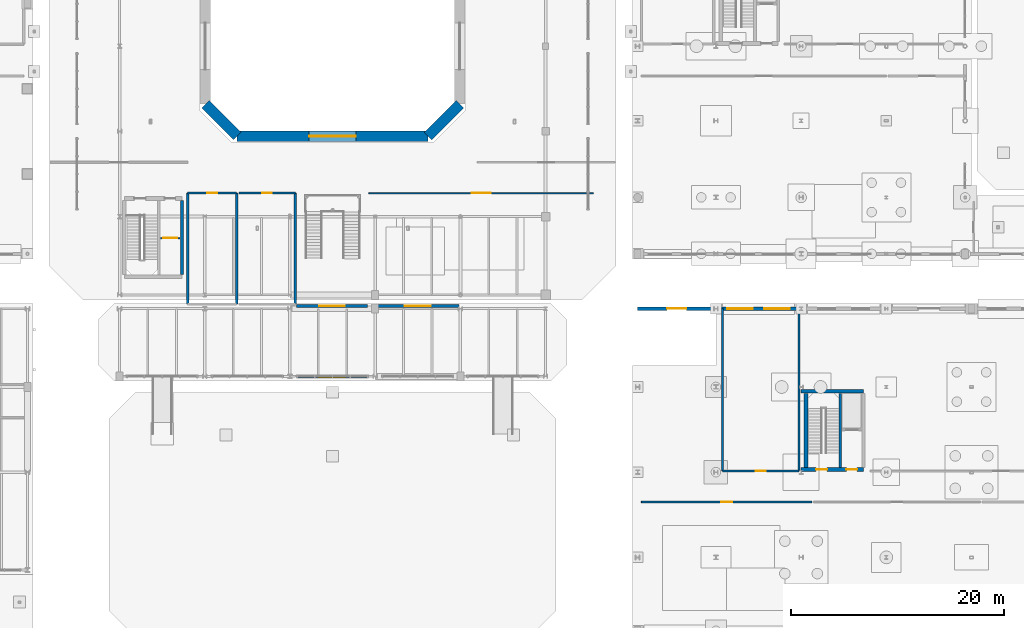
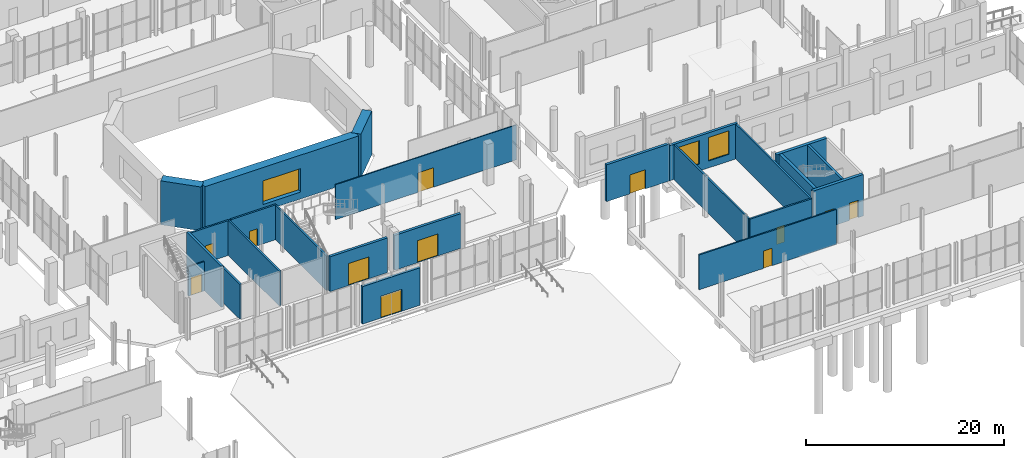
# One storey, part 67 of 87: 24 walls, 12 doors, 3 windows, 15 openings.
"""IFC4 building model written with IfcOpenShell, lengths in metres."""

from ifc_helpers import new_model, si_unit, direction, frame, frame_2d, origin, place, context, subcontext, project, spatial, rectangle, extrude, material, layer, layer_set, type_object, element, fill, save


model = new_model("IFC4")

# Units and contexts
model_context = context("Model", 3, precision=1e-05, world=origin(), true_north=direction((0.0, 1.0)))
body_context = subcontext(model_context, "Body", "Model", "MODEL_VIEW")
ifc_project = project(units=[si_unit("LENGTHUNIT", "METRE"), si_unit("AREAUNIT", "SQUARE_METRE"), si_unit("VOLUMEUNIT", "CUBIC_METRE"), si_unit("PLANEANGLEUNIT", "RADIAN"), si_unit("MASSUNIT", "GRAM", prefix="KILO")], contexts=[model_context])

# Site, building, storey
site_placement = place(None, origin())
site = spatial("IfcSite", under=ifc_project, at=site_placement, CompositionType="ELEMENT")
building_placement = place(site_placement, origin())
building = spatial("IfcBuilding", under=site, at=building_placement, Name="Brisemont Oceanarium", CompositionType="ELEMENT")
storey_placement = place(building_placement, origin())
storey = spatial("IfcBuildingStorey", under=building, at=storey_placement, Name="L00", CompositionType="ELEMENT", Elevation=0.0)

# Wall, openings, windows
ifc_material_1 = material(Name="Sierra Granite Ashlar Backup Concrete C35/45", Category="masonry")
ifc_layer_1 = layer(ifc_material_1, 0.300048828125)
ifc_layer_set_1 = layer_set([ifc_layer_1], Name="Sierra Granite Ashlar Backup Concrete C35/45")
wall_type_1 = type_object("IfcWallType", Name="EW-GRANITE-300", PredefinedType="STANDARD", material=ifc_layer_set_1)
wall_1_placement = place(storey_placement, frame((120.0, 31.35009765625, 0.0), z_axis=(0.0, 0.0, 1.0), x_axis=(1.0, 0.0, 0.0)))
wall_1 = element("IfcWall", 1, at=wall_1_placement, inside=storey, type_object=wall_type_1, Name="Beaux-Arts exterior wall EW-V3N-L00-1", PredefinedType="STANDARD", context=body_context, shape_type="SweptSolid", body=[
    extrude(rectangle(XDim=8.0, YDim=0.300048828125, at=frame_2d((4.0, 0.0))), origin(), (0.0, 0.0, 1.0), 4.318115234375),
])
opening_1_placement = place(wall_1_placement, frame((1.066650390625, 0.0, 0.85009765625)))
opening_1 = element("IfcOpeningElement", 2, at=opening_1_placement, cuts=wall_1, Name="Opening WIN-01", PredefinedType="OPENING", context=body_context, shape_type="SweptSolid", body=[
    extrude(rectangle(XDim=2.39990234375, YDim=2.89990234375, at=frame_2d((1.199951171875, 1.449951171875))), frame((0.0, 0.159912109375, 0.0), z_axis=(0.0, -1.0, 0.0), x_axis=(1.0, 0.0, 0.0)), (0.0, 0.0, 1.0), 0.320068359375),
])
opening_2_placement = place(wall_1_placement, frame((4.533203125, 0.0, 0.85009765625)))
opening_2 = element("IfcOpeningElement", 3, at=opening_2_placement, cuts=wall_1, Name="Opening WIN-01", PredefinedType="OPENING", context=body_context, shape_type="SweptSolid", body=[
    extrude(rectangle(XDim=2.39990234375, YDim=2.89990234375, at=frame_2d((1.199951171875, 1.449951171875))), frame((0.0, 0.159912109375, 0.0), z_axis=(0.0, -1.0, 0.0), x_axis=(1.0, 0.0, 0.0)), (0.0, 0.0, 1.0), 0.320068359375),
])
ifc_material_2 = material(Name="Insulated Low-E Laminated Glass", Category="glass")
window_type_1 = type_object("IfcWindowType", Name="WIN-BA-2400X2900", PartitioningType="SINGLE_PANEL", PredefinedType="WINDOW", material=ifc_material_2)
window_1_placement = place(opening_1_placement, origin())
window_1 = element("IfcWindow", 4, at=window_1_placement, inside=storey, type_object=window_type_1, Name="WIN-01 facade window 1", OverallHeight=2.89990234375, OverallWidth=2.39990234375, PartitioningType="SINGLE_PANEL", PredefinedType="WINDOW", context=body_context, shape_type="SweptSolid", body=[
    extrude(rectangle(XDim=2.39990234375, YDim=2.89990234375, at=frame_2d((1.199951171875, 1.449951171875))), frame((0.0, 0.030029296875, 0.0), z_axis=(0.0, -1.0, 0.0), x_axis=(1.0, 0.0, 0.0)), (0.0, 0.0, 1.0), 0.06005859375),
])
fill(opening_1, window_1)
window_2_placement = place(opening_2_placement, origin())
window_2 = element("IfcWindow", 5, at=window_2_placement, inside=storey, type_object=window_type_1, Name="WIN-01 facade window 2", OverallHeight=2.89990234375, OverallWidth=2.39990234375, PartitioningType="SINGLE_PANEL", PredefinedType="WINDOW", context=body_context, shape_type="SweptSolid", body=[
    extrude(rectangle(XDim=2.39990234375, YDim=2.89990234375, at=frame_2d((1.199951171875, 1.449951171875))), frame((0.0, 0.030029296875, 0.0), z_axis=(0.0, -1.0, 0.0), x_axis=(1.0, 0.0, 0.0)), (0.0, 0.0, 1.0), 0.06005859375),
])
fill(opening_2, window_2)

# Wall, opening, door
wall_2_placement = place(storey_placement, frame((87.300048828125, 31.60009765625, 0.0), z_axis=(0.0, 0.0, 1.0), x_axis=(-1.0, 0.0, 0.0)))
wall_2 = element("IfcWall", 6, at=wall_2_placement, inside=storey, type_object=wall_type_1, Name="Beaux-Arts exterior wall EW-Z2PORT-ENT-1", PredefinedType="STANDARD", context=body_context, shape_type="SweptSolid", body=[
    extrude(rectangle(XDim=6.699951171875, YDim=0.300048828125, at=frame_2d((3.35009765625, 0.0))), origin(), (0.0, 0.0, 1.0), 4.280029296875),
])
opening_3_placement = place(wall_2_placement, frame((2.14990234375, 0.0, 0.0)))
opening_3 = element("IfcOpeningElement", 7, at=opening_3_placement, cuts=wall_2, Name="Opening EX-01", PredefinedType="OPENING", context=body_context, shape_type="SweptSolid", body=[
    extrude(rectangle(XDim=2.39990234375, YDim=2.699951171875, at=frame_2d((1.199951171875, 1.35009765625))), frame((0.0, 0.159912109375, 0.0), z_axis=(0.0, -1.0, 0.0), x_axis=(1.0, 0.0, 0.0)), (0.0, 0.0, 1.0), 0.320068359375),
])
ifc_material_3 = material(Name="Patinated Architectural Bronze C38500")
door_type_1 = type_object("IfcDoorType", Name="DR-EXT-2400X2700", OperationType="NOTDEFINED", PredefinedType="DOOR", material=ifc_material_3)
door_1_placement = place(opening_3_placement, origin())
door_1 = element("IfcDoor", 8, at=door_1_placement, inside=storey, type_object=door_type_1, Name="EX-01 exterior entrance door 18", OperationType="DOUBLE_DOOR_SINGLE_SWING", OverallHeight=2.699951171875, OverallWidth=2.39990234375, PredefinedType="DOOR", context=body_context, shape_type="SweptSolid", body=[
    extrude(rectangle(XDim=2.39990234375, YDim=2.699951171875, at=frame_2d((1.199951171875, 1.35009765625))), frame((0.0, 0.02490234375, 0.0), z_axis=(0.0, -1.0, 0.0), x_axis=(1.0, 0.0, 0.0)), (0.0, 0.0, 1.0), 0.050048828125),
])
fill(opening_3, door_1)

wall_3_placement = place(storey_placement, frame((95.860107421875, 31.60009765625, 0.0), z_axis=(0.0, 0.0, 1.0), x_axis=(-1.0, 0.0, 0.0)))
wall_3 = element("IfcWall", 9, at=wall_3_placement, inside=storey, type_object=wall_type_1, Name="Beaux-Arts exterior wall EW-Z2PORT-ENT-2", PredefinedType="STANDARD", context=body_context, shape_type="SweptSolid", body=[
    extrude(rectangle(XDim=7.72021484375, YDim=0.300048828125, at=frame_2d((3.860107421875, 0.0))), origin(), (0.0, 0.0, 1.0), 4.280029296875),
])
opening_4_placement = place(wall_3_placement, frame((2.659912109375, 0.0, 0.0)))
opening_4 = element("IfcOpeningElement", 10, at=opening_4_placement, cuts=wall_3, Name="Opening EX-01", PredefinedType="OPENING", context=body_context, shape_type="SweptSolid", body=[
    extrude(rectangle(XDim=2.39990234375, YDim=2.699951171875, at=frame_2d((1.199951171875, 1.35009765625))), frame((0.0, 0.159912109375, 0.0), z_axis=(0.0, -1.0, 0.0), x_axis=(1.0, 0.0, 0.0)), (0.0, 0.0, 1.0), 0.320068359375),
])
door_2_placement = place(opening_4_placement, origin())
door_2 = element("IfcDoor", 11, at=door_2_placement, inside=storey, type_object=door_type_1, Name="EX-01 exterior entrance door 19", OperationType="DOUBLE_DOOR_SINGLE_SWING", OverallHeight=2.699951171875, OverallWidth=2.39990234375, PredefinedType="DOOR", context=body_context, shape_type="SweptSolid", body=[
    extrude(rectangle(XDim=2.39990234375, YDim=2.699951171875, at=frame_2d((1.199951171875, 1.35009765625))), frame((0.0, 0.02490234375, 0.0), z_axis=(0.0, -1.0, 0.0), x_axis=(1.0, 0.0, 0.0)), (0.0, 0.0, 1.0), 0.050048828125),
])
fill(opening_4, door_2)

wall_4_placement = place(storey_placement, frame((87.300048828125, 25.0, 0.0), z_axis=(0.0, 0.0, 1.0), x_axis=(-1.0, 0.0, 0.0)))
wall_4 = element("IfcWall", 12, at=wall_4_placement, inside=storey, type_object=wall_type_1, Name="Beaux-Arts exterior wall EW-Z2PORT-OUT", PredefinedType="STANDARD", context=body_context, shape_type="SweptSolid", body=[
    extrude(rectangle(XDim=6.699951171875, YDim=0.300048828125, at=frame_2d((3.35009765625, 0.0))), origin(), (0.0, 0.0, 1.0), 4.62109375),
])
opening_5_placement = place(wall_4_placement, frame((2.14990234375, 0.0, 0.0)))
opening_5 = element("IfcOpeningElement", 13, at=opening_5_placement, cuts=wall_4, Name="Opening EX-01", PredefinedType="OPENING", context=body_context, shape_type="SweptSolid", body=[
    extrude(rectangle(XDim=2.39990234375, YDim=2.699951171875, at=frame_2d((1.199951171875, 1.35009765625))), frame((0.0, 0.159912109375, 0.0), z_axis=(0.0, -1.0, 0.0), x_axis=(1.0, 0.0, 0.0)), (0.0, 0.0, 1.0), 0.320068359375),
])
door_3_placement = place(opening_5_placement, origin())
door_3 = element("IfcDoor", 14, at=door_3_placement, inside=storey, type_object=door_type_1, Name="EX-01 exterior entrance door 20", OperationType="DOUBLE_DOOR_SINGLE_SWING", OverallHeight=2.699951171875, OverallWidth=2.39990234375, PredefinedType="DOOR", context=body_context, shape_type="SweptSolid", body=[
    extrude(rectangle(XDim=2.39990234375, YDim=2.699951171875, at=frame_2d((1.199951171875, 1.35009765625))), frame((0.0, 0.02490234375, 0.0), z_axis=(0.0, -1.0, 0.0), x_axis=(1.0, 0.0, 0.0)), (0.0, 0.0, 1.0), 0.050048828125),
])
fill(opening_5, door_3)

wall_5_placement = place(storey_placement, frame((112.64990234375, 31.35009765625, 0.0), z_axis=(0.0, 0.0, 1.0), x_axis=(1.0, 0.0, 0.0)))
wall_5 = element("IfcWall", 15, at=wall_5_placement, inside=storey, type_object=wall_type_1, Name="Beaux-Arts exterior wall EW-C4-EXIT", PredefinedType="STANDARD", context=body_context, shape_type="SweptSolid", body=[
    extrude(rectangle(XDim=7.35009765625, YDim=0.300048828125, at=frame_2d((3.675048828125, 0.0))), origin(), (0.0, 0.0, 1.0), 4.547119140625),
])
opening_6_placement = place(wall_5_placement, frame((2.77490234375, 0.0, 0.0)))
opening_6 = element("IfcOpeningElement", 16, at=opening_6_placement, cuts=wall_5, Name="Opening EX-03", PredefinedType="OPENING", context=body_context, shape_type="SweptSolid", body=[
    extrude(rectangle(XDim=1.800048828125, YDim=2.35009765625, at=frame_2d((0.89990234375, 1.175048828125))), frame((0.0, 0.159912109375, 0.0), z_axis=(0.0, -1.0, 0.0), x_axis=(1.0, 0.0, 0.0)), (0.0, 0.0, 1.0), 0.320068359375),
])
ifc_material_4 = material(Name="Patinated Architectural Bronze C38500")
door_type_2 = type_object("IfcDoorType", Name="DR-EXT-1800X2350", OperationType="NOTDEFINED", PredefinedType="DOOR", material=ifc_material_4)
door_4_placement = place(opening_6_placement, origin())
door_4 = element("IfcDoor", 17, at=door_4_placement, inside=storey, type_object=door_type_2, Name="EX-03 exterior entrance door 24", OperationType="SINGLE_SWING_LEFT", OverallHeight=2.35009765625, OverallWidth=1.800048828125, PredefinedType="DOOR", context=body_context, shape_type="SweptSolid", body=[
    extrude(rectangle(XDim=1.800048828125, YDim=2.35009765625, at=frame_2d((0.89990234375, 1.175048828125))), frame((0.0, 0.02490234375, 0.0), z_axis=(0.0, -1.0, 0.0), x_axis=(1.0, 0.0, 0.0)), (0.0, 0.0, 1.0), 0.050048828125),
])
fill(opening_6, door_4)

ifc_material_5 = material(Name="Moisture-Resistant Gypsum Steel-Stud Partition", Category="steel")
ifc_layer_2 = layer(ifc_material_5, 0.159912109375)
ifc_layer_set_2 = layer_set([ifc_layer_2], Name="Moisture-Resistant Gypsum Steel-Stud Partition")
wall_type_2 = type_object("IfcWallType", Name="IW-FB-160", PredefinedType="PARTITIONING", material=ifc_layer_set_2)
wall_6_placement = place(storey_placement, frame((67.85009765625, 37.97998046875, 0.0), z_axis=(0.0, 0.0, 1.0), x_axis=(1.0, 0.0, 0.0)))
wall_6 = element("IfcWall", 18, at=wall_6_placement, inside=storey, type_object=wall_type_2, Name="Core C1 L00 lift hoistway front wall", PredefinedType="PARTITIONING", context=body_context, shape_type="SweptSolid", body=[
    extrude(rectangle(XDim=1.83984375, YDim=0.159912109375, at=frame_2d((0.919921875, 0.0))), origin(), (0.0, 0.0, 1.0), 3.60009765625),
])
opening_7_placement = place(wall_6_placement, frame((0.27001953125, 0.0, 0.0)))
opening_7 = element("IfcOpeningElement", 19, at=opening_7_placement, cuts=wall_6, Name="Opening LD-02", PredefinedType="OPENING", context=body_context, shape_type="SweptSolid", body=[
    extrude(rectangle(XDim=1.300048828125, YDim=2.199951171875, at=frame_2d((0.64990234375, 1.10009765625))), frame((0.0, 0.08984375, 0.0), z_axis=(0.0, -1.0, 0.0), x_axis=(1.0, 0.0, 0.0)), (0.0, 0.0, 1.0), 0.179931640625),
])
ifc_material_6 = material(Name="Duplex Stainless Steel EN 1.4462", Category="steel")
door_type_3 = type_object("IfcDoorType", Name="DR-LIFT-1300X2200", OperationType="NOTDEFINED", PredefinedType="DOOR", material=ifc_material_6)
door_5_placement = place(opening_7_placement, origin())
door_5 = element("IfcDoor", 20, at=door_5_placement, inside=storey, type_object=door_type_3, Name="Lift landing door LF-01 L00", OperationType="SLIDING_TO_LEFT", OverallHeight=2.199951171875, OverallWidth=1.300048828125, PredefinedType="DOOR", context=body_context, shape_type="SweptSolid", body=[
    extrude(rectangle(XDim=1.300048828125, YDim=2.199951171875, at=frame_2d((0.64990234375, 1.10009765625))), frame((0.0, 0.02490234375, 0.0), z_axis=(0.0, -1.0, 0.0), x_axis=(1.0, 0.0, 0.0)), (0.0, 0.0, 1.0), 0.050048828125),
])
fill(opening_7, door_5)

wall_7_placement = place(storey_placement, frame((113.0, 13.199951171875, 0.0), z_axis=(0.0, 0.0, 1.0), x_axis=(1.0, 0.0, 0.0)))
wall_7 = element("IfcWall", 21, at=wall_7_placement, inside=storey, type_object=wall_type_2, Name="Education Centre School Group Foyer corridor partition", PredefinedType="PARTITIONING", context=body_context, shape_type="SweptSolid", body=[
    extrude(rectangle(XDim=16.0, YDim=0.159912109375, at=frame_2d((8.0, 0.0))), origin(), (0.0, 0.0, 1.0), 4.2900390625),
])
opening_8_placement = place(wall_7_placement, frame((7.489990234375, 0.0, 0.0)))
opening_8 = element("IfcOpeningElement", 22, at=opening_8_placement, cuts=wall_7, Name="Opening D-01", PredefinedType="OPENING", context=body_context, shape_type="SweptSolid", body=[
    extrude(rectangle(XDim=1.02001953125, YDim=2.14990234375, at=frame_2d((0.510009765625, 1.074951171875))), frame((0.0, 0.08984375, 0.0), z_axis=(0.0, -1.0, 0.0), x_axis=(1.0, 0.0, 0.0)), (0.0, 0.0, 1.0), 0.179931640625),
])
ifc_material_7 = material(Name="FSC White Oak Solid-Core Fire Door")
door_type_4 = type_object("IfcDoorType", Name="DR-RM-1020X2150", OperationType="NOTDEFINED", PredefinedType="DOOR", material=ifc_material_7)
door_6_placement = place(opening_8_placement, origin())
door_6 = element("IfcDoor", 23, at=door_6_placement, inside=storey, type_object=door_type_4, Name="D-01 door to Education Centre School Group Foyer", OperationType="SINGLE_SWING_RIGHT", OverallHeight=2.14990234375, OverallWidth=1.02001953125, PredefinedType="DOOR", context=body_context, shape_type="SweptSolid", body=[
    extrude(rectangle(XDim=1.02001953125, YDim=2.14990234375, at=frame_2d((0.510009765625, 1.074951171875))), frame((0.0, 0.02490234375, 0.0), z_axis=(0.0, -1.0, 0.0), x_axis=(1.0, 0.0, 0.0)), (0.0, 0.0, 1.0), 0.050048828125),
])
fill(opening_8, door_6)

ifc_material_8 = material(Name="Moisture-Resistant Gypsum Steel-Stud Partition", Category="steel")
ifc_layer_3 = layer(ifc_material_8, 0.1201171875)
ifc_layer_set_3 = layer_set([ifc_layer_3], Name="Moisture-Resistant Gypsum Steel-Stud Partition")
wall_type_3 = type_object("IfcWallType", Name="IW-PART-120", PredefinedType="PARTITIONING", material=ifc_layer_set_3)
wall_8_placement = place(storey_placement, frame((87.39990234375, 42.199951171875, 0.0), z_axis=(0.0, 0.0, 1.0), x_axis=(1.0, 0.0, 0.0)))
wall_8 = element("IfcWall", 24, at=wall_8_placement, inside=storey, type_object=wall_type_3, Name="Ocean Tank South Viewing Exhibit Gallery corridor partition", PredefinedType="PARTITIONING", context=body_context, shape_type="SweptSolid", body=[
    extrude(rectangle(XDim=21.10009765625, YDim=0.1201171875, at=frame_2d((10.550048828125, 0.0))), origin(), (0.0, 0.0, 1.0), 4.2900390625),
])
opening_9_placement = place(wall_8_placement, frame((9.64990234375, 0.0, 0.0)))
opening_9 = element("IfcOpeningElement", 25, at=opening_9_placement, cuts=wall_8, Name="Opening GD-01", PredefinedType="OPENING", context=body_context, shape_type="SweptSolid", body=[
    extrude(rectangle(XDim=1.800048828125, YDim=2.39990234375, at=frame_2d((0.89990234375, 1.199951171875))), frame((0.0, 0.070068359375, 0.0), z_axis=(0.0, -1.0, 0.0), x_axis=(1.0, 0.0, 0.0)), (0.0, 0.0, 1.0), 0.14013671875),
])
ifc_material_9 = material(Name="Patinated Architectural Bronze C38500")
door_type_5 = type_object("IfcDoorType", Name="DR-GAL-1800X2400", OperationType="NOTDEFINED", PredefinedType="DOOR", material=ifc_material_9)
door_7_placement = place(opening_9_placement, origin())
door_7 = element("IfcDoor", 26, at=door_7_placement, inside=storey, type_object=door_type_5, Name="GD-01 door to Ocean Tank South Viewing Exhibit Gallery", OperationType="SINGLE_SWING_LEFT", OverallHeight=2.39990234375, OverallWidth=1.800048828125, PredefinedType="DOOR", context=body_context, shape_type="SweptSolid", body=[
    extrude(rectangle(XDim=1.800048828125, YDim=2.39990234375, at=frame_2d((0.89990234375, 1.199951171875))), frame((0.0, 0.02490234375, 0.0), z_axis=(0.0, -1.0, 0.0), x_axis=(1.0, 0.0, 0.0)), (0.0, 0.0, 1.0), 0.050048828125),
])
fill(opening_9, door_7)

ifc_material_10 = material(Name="Cementitious Tile-Backer Plumbing Wall")
ifc_layer_4 = layer(ifc_material_10, 0.199951171875)
ifc_layer_set_4 = layer_set([ifc_layer_4], Name="Cementitious Tile-Backer Plumbing Wall")
wall_type_4 = type_object("IfcWallType", Name="IW-PLUMB-200", PredefinedType="PLUMBINGWALL", material=ifc_layer_set_4)
wall_9_placement = place(storey_placement, frame((70.39990234375, 42.199951171875, 0.0), z_axis=(0.0, 0.0, 1.0), x_axis=(1.0, 0.0, 0.0)))
wall_9 = element("IfcWall", 27, at=wall_9_placement, inside=storey, type_object=wall_type_4, Name="Accessible WC corridor partition", PredefinedType="PLUMBINGWALL", context=body_context, shape_type="SweptSolid", body=[
    extrude(rectangle(XDim=4.60009765625, YDim=0.199951171875, at=frame_2d((2.300048828125, 0.0))), origin(), (0.0, 0.0, 1.0), 4.2900390625),
])
opening_10_placement = place(wall_9_placement, frame((1.844970703125, 0.0, 0.0)))
opening_10 = element("IfcOpeningElement", 28, at=opening_10_placement, cuts=wall_9, Name="Opening D-03", PredefinedType="OPENING", context=body_context, shape_type="SweptSolid", body=[
    extrude(rectangle(XDim=0.909912109375, YDim=2.10009765625, at=frame_2d((0.455078125, 1.050048828125))), frame((0.0, 0.10986328125, 0.0), z_axis=(0.0, -1.0, 0.0), x_axis=(1.0, 0.0, 0.0)), (0.0, 0.0, 1.0), 0.219970703125),
])
ifc_material_11 = material(Name="FSC White Oak Solid-Core Fire Door")
door_type_6 = type_object("IfcDoorType", Name="DR-WC-910X2100", OperationType="NOTDEFINED", PredefinedType="DOOR", material=ifc_material_11)
door_8_placement = place(opening_10_placement, origin())
door_8 = element("IfcDoor", 29, at=door_8_placement, inside=storey, type_object=door_type_6, Name="D-03 door to Accessible WC", OperationType="SINGLE_SWING_LEFT", OverallHeight=2.10009765625, OverallWidth=0.909912109375, PredefinedType="DOOR", context=body_context, shape_type="SweptSolid", body=[
    extrude(rectangle(XDim=0.909912109375, YDim=2.10009765625, at=frame_2d((0.455078125, 1.050048828125))), frame((0.0, 0.02490234375, 0.0), z_axis=(0.0, -1.0, 0.0), x_axis=(1.0, 0.0, 0.0)), (0.0, 0.0, 1.0), 0.050048828125),
])
fill(opening_10, door_8)

# Walls
for number, where, z_axis, x_axis, name in (
    (30, (70.39990234375, 31.800048828125, 0.0), (0.0, 0.0, 1.0), (0.0, 1.0, 0.0), "Accessible WC enclosure wall W"),
    (31, (75.0, 31.800048828125, 0.0), (0.0, 0.0, 1.0), (0.0, 1.0, 0.0), "Accessible WC enclosure wall E"),
):
    element("IfcWall", number, at=place(storey_placement, frame(where, z_axis=z_axis, x_axis=x_axis)), inside=storey, type_object=wall_type_4, Name=name, PredefinedType="PLUMBINGWALL", context=body_context, shape_type="SweptSolid", body=[
        extrude(rectangle(XDim=10.39990234375, YDim=0.199951171875, at=frame_2d((5.199951171875, 0.0))), origin(), (0.0, 0.0, 1.0), 4.2900390625),
    ])

# Wall, opening, door
wall_10_placement = place(storey_placement, frame((75.199951171875, 42.199951171875, 0.0), z_axis=(0.0, 0.0, 1.0), x_axis=(1.0, 0.0, 0.0)))
wall_10 = element("IfcWall", 32, at=wall_10_placement, inside=storey, type_object=wall_type_4, Name="Public Restroom corridor partition", PredefinedType="PLUMBINGWALL", context=body_context, shape_type="SweptSolid", body=[
    extrude(rectangle(XDim=5.300048828125, YDim=0.199951171875, at=frame_2d((2.64990234375, 0.0))), origin(), (0.0, 0.0, 1.0), 4.2900390625),
])
opening_11_placement = place(wall_10_placement, frame((2.195068359375, 0.0, 0.0)))
opening_11 = element("IfcOpeningElement", 33, at=opening_11_placement, cuts=wall_10, Name="Opening D-03", PredefinedType="OPENING", context=body_context, shape_type="SweptSolid", body=[
    extrude(rectangle(XDim=0.909912109375, YDim=2.10009765625, at=frame_2d((0.455078125, 1.050048828125))), frame((0.0, 0.10986328125, 0.0), z_axis=(0.0, -1.0, 0.0), x_axis=(1.0, 0.0, 0.0)), (0.0, 0.0, 1.0), 0.219970703125),
])
door_9_placement = place(opening_11_placement, origin())
door_9 = element("IfcDoor", 34, at=door_9_placement, inside=storey, type_object=door_type_6, Name="D-03 door to Public Restroom", OperationType="SINGLE_SWING_RIGHT", OverallHeight=2.10009765625, OverallWidth=0.909912109375, PredefinedType="DOOR", context=body_context, shape_type="SweptSolid", body=[
    extrude(rectangle(XDim=0.909912109375, YDim=2.10009765625, at=frame_2d((0.455078125, 1.050048828125))), frame((0.0, 0.02490234375, 0.0), z_axis=(0.0, -1.0, 0.0), x_axis=(1.0, 0.0, 0.0)), (0.0, 0.0, 1.0), 0.050048828125),
])
fill(opening_11, door_9)

# Wall
wall_11_placement = place(storey_placement, frame((80.5, 31.800048828125, 0.0), z_axis=(0.0, 0.0, 1.0), x_axis=(0.0, 1.0, 0.0)))
element("IfcWall", 35, at=wall_11_placement, inside=storey, type_object=wall_type_4, Name="Public Restroom enclosure wall E", PredefinedType="PLUMBINGWALL", context=body_context, shape_type="SweptSolid", body=[
    extrude(rectangle(XDim=10.39990234375, YDim=0.199951171875, at=frame_2d((5.199951171875, 0.0))), origin(), (0.0, 0.0, 1.0), 4.239990234375),
])

# Wall, opening, door
wall_12_placement = place(storey_placement, frame((120.60009765625, 16.10009765625, 0.0), z_axis=(0.0, 0.0, 1.0), x_axis=(1.0, 0.0, 0.0)))
wall_12 = element("IfcWall", 36, at=wall_12_placement, inside=storey, type_object=wall_type_4, Name="Accessible WC corridor partition", PredefinedType="PLUMBINGWALL", context=body_context, shape_type="SweptSolid", body=[
    extrude(rectangle(XDim=7.199951171875, YDim=0.199951171875, at=frame_2d((3.60009765625, 0.0))), origin(), (0.0, 0.0, 1.0), 4.2900390625),
])
opening_12_placement = place(wall_12_placement, frame((3.14501953125, 0.0, 0.0)))
opening_12 = element("IfcOpeningElement", 37, at=opening_12_placement, cuts=wall_12, Name="Opening D-03", PredefinedType="OPENING", context=body_context, shape_type="SweptSolid", body=[
    extrude(rectangle(XDim=0.909912109375, YDim=2.10009765625, at=frame_2d((0.455078125, 1.050048828125))), frame((0.0, 0.10986328125, 0.0), z_axis=(0.0, -1.0, 0.0), x_axis=(1.0, 0.0, 0.0)), (0.0, 0.0, 1.0), 0.219970703125),
])
door_10_placement = place(opening_12_placement, origin())
door_10 = element("IfcDoor", 38, at=door_10_placement, inside=storey, type_object=door_type_6, Name="D-03 door to Accessible WC", OperationType="SINGLE_SWING_LEFT", OverallHeight=2.10009765625, OverallWidth=0.909912109375, PredefinedType="DOOR", context=body_context, shape_type="SweptSolid", body=[
    extrude(rectangle(XDim=0.909912109375, YDim=2.10009765625, at=frame_2d((0.455078125, 1.050048828125))), frame((0.0, 0.02490234375, 0.0), z_axis=(0.0, -1.0, 0.0), x_axis=(1.0, 0.0, 0.0)), (0.0, 0.0, 1.0), 0.050048828125),
])
fill(opening_12, door_10)

# Walls
for number, where, z_axis, x_axis, name in (
    (39, (120.60009765625, 16.10009765625, 0.0), (0.0, 0.0, 1.0), (0.0, 1.0, 0.0), "Accessible WC enclosure wall W"),
    (40, (127.800048828125, 16.10009765625, 0.0), (0.0, 0.0, 1.0), (0.0, 1.0, 0.0), "Accessible WC enclosure wall E"),
):
    element("IfcWall", number, at=place(storey_placement, frame(where, z_axis=z_axis, x_axis=x_axis)), inside=storey, type_object=wall_type_4, Name=name, PredefinedType="PLUMBINGWALL", context=body_context, shape_type="SweptSolid", body=[
        extrude(rectangle(XDim=15.25, YDim=0.199951171875, at=frame_2d((7.625, 0.0))), origin(), (0.0, 0.0, 1.0), 4.2900390625),
    ])
ifc_material_12 = material(Name="Concrete C40/50", Category="concrete")
ifc_layer_5 = layer(ifc_material_12, 0.260009765625)
ifc_layer_set_5 = layer_set([ifc_layer_5], Name="Concrete C40/50")
wall_type_5 = type_object("IfcWallType", Name="SW-SHAFT-260", PredefinedType="SHEAR", material=ifc_layer_set_5)
wall_13_placement = place(storey_placement, frame((69.85009765625, 34.550048828125, 0.0), z_axis=(0.0, 0.0, 1.0), x_axis=(0.0, 1.0, 0.0)))
element("IfcWall", 41, at=wall_13_placement, inside=storey, type_object=wall_type_5, Name="Core C1 L00 E RC shear wall", PredefinedType="SHEAR", context=body_context, shape_type="SweptSolid", body=[
    extrude(rectangle(XDim=6.949951171875, YDim=0.260009765625, at=frame_2d((3.47509765625, 0.0))), origin(), (0.0, 0.0, 1.0), 5.070068359375),
])
wall_14_placement = place(storey_placement, frame((131.669921875, 16.449951171875, 0.0), z_axis=(0.0, 0.0, 1.0), x_axis=(0.0, 1.0, 0.0)))
element("IfcWall", 42, at=wall_14_placement, inside=storey, type_object=wall_type_5, Name="Core C4 L00 MID RC shear wall", PredefinedType="SHEAR", context=body_context, shape_type="SweptSolid", body=[
    extrude(rectangle(XDim=6.949951171875, YDim=0.260009765625, at=frame_2d((3.47509765625, 0.0))), origin(), (0.0, 0.0, 1.0), 5.110107421875),
])

# Wall, openings, doors
ifc_material_13 = material(Name="Concrete C40/50", Category="concrete")
ifc_layer_6 = layer(ifc_material_13, 0.35009765625)
ifc_layer_set_6 = layer_set([ifc_layer_6], Name="Concrete C40/50")
wall_type_6 = type_object("IfcWallType", Name="SW-STAIR-350", PredefinedType="SHEAR", material=ifc_layer_set_6)
wall_15_placement = place(storey_placement, frame((128.0, 16.25, 0.0), z_axis=(0.0, 0.0, 1.0), x_axis=(1.0, 0.0, 0.0)))
wall_15 = element("IfcWall", 43, at=wall_15_placement, inside=storey, type_object=wall_type_6, Name="Core C4 L00 corridor RC shear wall", PredefinedType="SHEAR", context=body_context, shape_type="SweptSolid", body=[
    extrude(rectangle(XDim=5.85009765625, YDim=0.35009765625, at=frame_2d((2.925048828125, 0.0))), origin(), (0.0, 0.0, 1.0), 5.110107421875),
])
opening_13_placement = place(wall_15_placement, frame((1.39990234375, 0.0, 0.0)))
opening_13 = element("IfcOpeningElement", 44, at=opening_13_placement, cuts=wall_15, Name="Opening SD-02", PredefinedType="OPENING", context=body_context, shape_type="SweptSolid", body=[
    extrude(rectangle(XDim=1.050048828125, YDim=2.10009765625, at=frame_2d((0.52490234375, 1.050048828125))), frame((0.0, 0.18505859375, 0.0), z_axis=(0.0, -1.0, 0.0), x_axis=(1.0, 0.0, 0.0)), (0.0, 0.0, 1.0), 0.3701171875),
])
opening_14_placement = place(wall_15_placement, frame((4.25, 0.0, 0.0)))
opening_14 = element("IfcOpeningElement", 45, at=opening_14_placement, cuts=wall_15, Name="Opening FD90-2", PredefinedType="OPENING", context=body_context, shape_type="SweptSolid", body=[
    extrude(rectangle(XDim=1.0, YDim=2.14990234375, at=frame_2d((0.5, 1.074951171875))), frame((0.0, 0.18505859375, 0.0), z_axis=(0.0, -1.0, 0.0), x_axis=(1.0, 0.0, 0.0)), (0.0, 0.0, 1.0), 0.3701171875),
])
ifc_material_14 = material(Name="FSC White Oak Solid-Core Fire Door")
door_type_7 = type_object("IfcDoorType", Name="DR-LOB-1000X2150", OperationType="NOTDEFINED", PredefinedType="DOOR", material=ifc_material_14)
door_11_placement = place(opening_14_placement, origin())
door_11 = element("IfcDoor", 46, at=door_11_placement, inside=storey, type_object=door_type_7, Name="Lift lobby door C4 L00", OperationType="SINGLE_SWING_LEFT", OverallHeight=2.14990234375, OverallWidth=1.0, PredefinedType="DOOR", context=body_context, shape_type="SweptSolid", body=[
    extrude(rectangle(XDim=1.0, YDim=2.14990234375, at=frame_2d((0.5, 1.074951171875))), frame((0.0, 0.02490234375, 0.0), z_axis=(0.0, -1.0, 0.0), x_axis=(1.0, 0.0, 0.0)), (0.0, 0.0, 1.0), 0.050048828125),
])
fill(opening_14, door_11)
ifc_material_15 = material(Name="Duplex Stainless Steel EN 1.4462", Category="steel")
door_type_8 = type_object("IfcDoorType", Name="DR-STAIR-1050X2100", OperationType="NOTDEFINED", PredefinedType="DOOR", material=ifc_material_15)
door_12_placement = place(opening_13_placement, origin())
door_12 = element("IfcDoor", 47, at=door_12_placement, inside=storey, type_object=door_type_8, Name="Exit stair door ST-04 L00", OperationType="SINGLE_SWING_RIGHT", OverallHeight=2.10009765625, OverallWidth=1.050048828125, PredefinedType="DOOR", context=body_context, shape_type="SweptSolid", body=[
    extrude(rectangle(XDim=1.050048828125, YDim=2.10009765625, at=frame_2d((0.52490234375, 1.050048828125))), frame((0.0, 0.02490234375, 0.0), z_axis=(0.0, -1.0, 0.0), x_axis=(1.0, 0.0, 0.0)), (0.0, 0.0, 1.0), 0.050048828125),
])
fill(opening_13, door_12)

# Walls
wall_16_placement = place(storey_placement, frame((128.0, 23.60009765625, 0.0), z_axis=(0.0, 0.0, 1.0), x_axis=(1.0, 0.0, 0.0)))
element("IfcWall", 48, at=wall_16_placement, inside=storey, type_object=wall_type_6, Name="Core C4 L00 BCK RC shear wall", PredefinedType="SHEAR", context=body_context, shape_type="SweptSolid", body=[
    extrude(rectangle(XDim=5.85009765625, YDim=0.35009765625, at=frame_2d((2.925048828125, 0.0))), origin(), (0.0, 0.0, 1.0), 5.110107421875),
])
wall_17_placement = place(storey_placement, frame((128.449951171875, 16.449951171875, 0.0), z_axis=(0.0, 0.0, 1.0), x_axis=(0.0, 1.0, 0.0)))
element("IfcWall", 49, at=wall_17_placement, inside=storey, type_object=wall_type_6, Name="Core C4 L00 W RC shear wall", PredefinedType="SHEAR", context=body_context, shape_type="SweptSolid", body=[
    extrude(rectangle(XDim=6.949951171875, YDim=0.35009765625, at=frame_2d((3.47509765625, 0.0))), origin(), (0.0, 0.0, 1.0), 5.110107421875),
])

# Wall, opening, window
ifc_material_16 = material(Name="Concrete C40/50", Category="concrete")
ifc_layer_7 = layer(ifc_material_16, 1.0)
ifc_layer_set_7 = layer_set([ifc_layer_7], Name="Concrete C40/50")
wall_type_7 = type_object("IfcWallType", Name="SW-TANK-1000", PredefinedType="SOLIDWALL", material=ifc_layer_set_7)
wall_18_placement = place(storey_placement, frame((75.050048828125, 47.550048828125, 0.0), z_axis=(0.0, 0.0, 1.0), x_axis=(1.0, 0.0, 0.0)))
wall_18 = element("IfcWall", 50, at=wall_18_placement, inside=storey, type_object=wall_type_7, Name="V4 Ocean Tank L00 vessel wall 1", PredefinedType="SOLIDWALL", context=body_context, shape_type="SweptSolid", body=[
    extrude(rectangle(XDim=17.89990234375, YDim=1.0, at=frame_2d((8.949951171875, 0.0))), origin(), (0.0, 0.0, 1.0), 5.39990234375),
])
opening_15_placement = place(wall_18_placement, frame((6.75, 0.0, 0.85009765625)))
opening_15 = element("IfcOpeningElement", 51, at=opening_15_placement, cuts=wall_18, Name="Opening VW-01", PredefinedType="OPENING", context=body_context, shape_type="SweptSolid", body=[
    extrude(rectangle(XDim=4.39990234375, YDim=2.89990234375, at=frame_2d((2.199951171875, 1.449951171875))), frame((0.0, 0.510009765625, 0.0), z_axis=(0.0, -1.0, 0.0), x_axis=(1.0, 0.0, 0.0)), (0.0, 0.0, 1.0), 1.02001953125),
])
ifc_material_17 = material(Name="Cast Polymethyl Methacrylate PMMA")
window_type_2 = type_object("IfcWindowType", Name="WIN-PMMA-4400X2900", PartitioningType="SINGLE_PANEL", PredefinedType="WINDOW", material=ifc_material_17)
window_3_placement = place(opening_15_placement, origin())
window_3 = element("IfcWindow", 52, at=window_3_placement, inside=storey, type_object=window_type_2, Name="VW-01 cast-PMMA ocean tank viewing window L00.1", OverallHeight=2.89990234375, OverallWidth=4.39990234375, PartitioningType="SINGLE_PANEL", PredefinedType="WINDOW", context=body_context, shape_type="SweptSolid", body=[
    extrude(rectangle(XDim=4.39990234375, YDim=2.89990234375, at=frame_2d((2.199951171875, 1.449951171875))), frame((0.0, 0.030029296875, 0.0), z_axis=(0.0, -1.0, 0.0), x_axis=(1.0, 0.0, 0.0)), (0.0, 0.0, 1.0), 0.06005859375),
])
fill(opening_15, window_3)

# Walls
for number, where, z_axis, x_axis, name in (
    (53, (92.949951171875, 47.550048828125, 0.0), (0.0, 0.0, 1.0), (0.707106781187, 0.707106781187, 0.0), "V4 Ocean Tank L00 vessel wall 2"),
    (54, (72.050048828125, 50.550048828125, 0.0), (0.0, 0.0, 1.0), (0.707106781187, -0.707106781187, 0.0), "V4 Ocean Tank L00 vessel wall 8"),
):
    element("IfcWall", number, at=place(storey_placement, frame(where, z_axis=z_axis, x_axis=x_axis)), inside=storey, type_object=wall_type_7, Name=name, PredefinedType="SOLIDWALL", context=body_context, shape_type="SweptSolid", body=[
        extrude(rectangle(XDim=4.24267578125, YDim=1.0, at=frame_2d((2.121337890625, 0.0))), origin(), (0.0, 0.0, 1.0), 5.39990234375),
    ])

save(model, "model.ifc")
